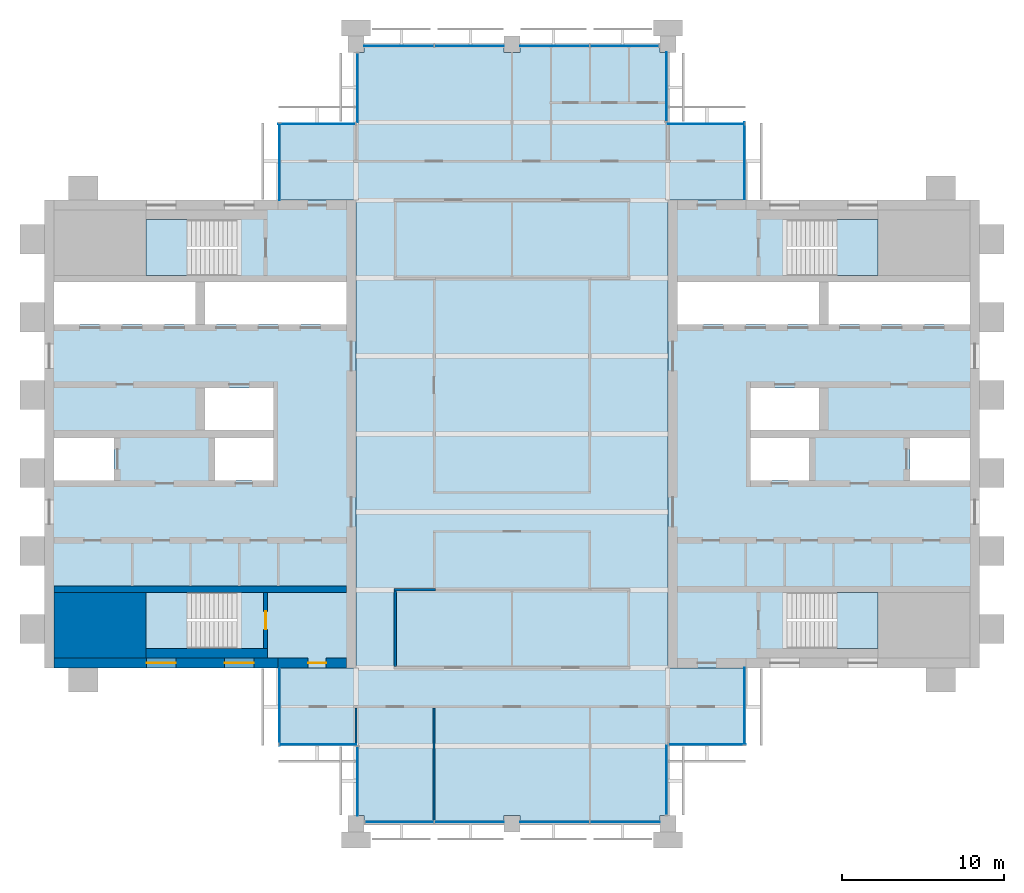
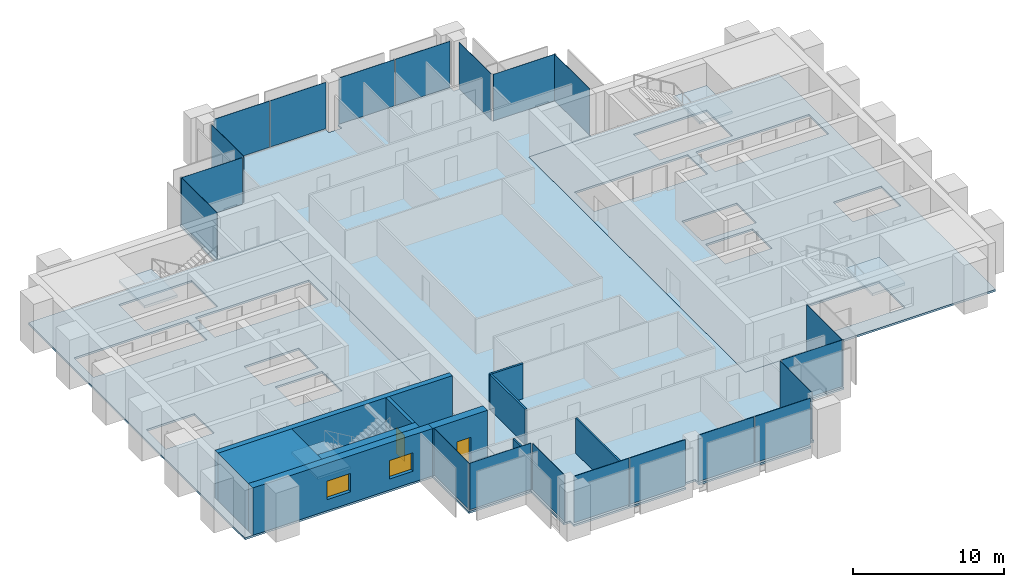
# One storey, part 7 of 13: 20 plates, 10 walls, 7 slabs, 2 doors, 2 windows, 4 openings, 18 elements without a shape of their own.
"""IFC4 building model written with IfcOpenShell, lengths in metres."""

from ifc_helpers import new_model, si_unit, direction, frame, frame_2d, origin, origin_2d, place, context, subcontext, project, spatial, polyline, rectangle, outline, extrude, material, layer, layer_set, type_object, element, fill, aggregate, save


model = new_model("IFC4")

# Units and contexts
model_context = context("Model", 3, precision=1e-05, world=origin(), true_north=direction((0.0, 1.0)))
body_context = subcontext(model_context, "Body", "Model", "MODEL_VIEW")
ifc_project = project(units=[si_unit("LENGTHUNIT", "METRE"), si_unit("AREAUNIT", "SQUARE_METRE"), si_unit("VOLUMEUNIT", "CUBIC_METRE"), si_unit("PLANEANGLEUNIT", "RADIAN"), si_unit("MASSUNIT", "GRAM", prefix="KILO")], contexts=[model_context])

# Site, building, storey
site_placement = place(None, origin())
site = spatial("IfcSite", under=ifc_project, at=site_placement, CompositionType="ELEMENT")
building_placement = place(site_placement, origin())
building = spatial("IfcBuilding", under=site, at=building_placement, Name="Baori Bourse Tower", CompositionType="ELEMENT")
storey_placement = place(building_placement, frame((0.0, 0.0, 334.300048828125)))
storey = spatial("IfcBuildingStorey", under=building, at=storey_placement, Name="L74", CompositionType="ELEMENT", Elevation=334.300048828125)

# Curtain wall, plate
ifc_material_1 = material(Name="Pale anodised aluminium", Category="aluminium")
curtain_wall_type_1 = type_object("IfcCurtainWallType", Name="CW2 Curtain wall", PredefinedType="NOTDEFINED", material=ifc_material_1)
curtain_wall_1_placement = place(storey_placement, origin())
curtain_wall_1 = element("IfcCurtainWall", 1, at=curtain_wall_1_placement, inside=storey, type_object=curtain_wall_type_1, Name="Curtain wall CW2 L74 1", PredefinedType="NOTDEFINED")
ifc_material_2 = material(Name="Clear glass", Category="glass")
ifc_layer_1 = layer(ifc_material_2, 0.030029296875)
ifc_layer_set_1 = layer_set([ifc_layer_1], Name="CW2 Curtain wall panel")
plate_type_1 = type_object("IfcPlateType", Name="CW2 Curtain wall panel", PredefinedType="CURTAIN_PANEL", material=ifc_layer_set_1)
plate_1_placement = place(storey_placement, frame((43.110107421875, 40.827392578125, 0.06982421875), z_axis=(0.0, 0.0, 1.0), x_axis=(0.0, 1.0, 0.0)))
plate_1 = element("IfcPlate", 2, at=plate_1_placement, type_object=plate_type_1, Name="Curtain wall CW2 panel", PredefinedType="CURTAIN_PANEL", context=body_context, shape_type="SweptSolid", body=[
    extrude(rectangle(XDim=4.7451171875, YDim=0.030029296875, at=origin_2d()), origin(), (0.0, 0.0, 1.0), 3.77001953125),
])
aggregate(curtain_wall_1, [plate_1])

curtain_wall_2_placement = place(storey_placement, origin())
curtain_wall_2 = element("IfcCurtainWall", 3, at=curtain_wall_2_placement, inside=storey, type_object=curtain_wall_type_1, Name="Curtain wall CW2 L74 2", PredefinedType="NOTDEFINED")
plate_2_placement = place(storey_placement, frame((40.7724609375, 43.110107421875, 0.06982421875), z_axis=(0.0, 0.0, 1.0), x_axis=(-1.0, 0.0, 0.0)))
plate_2 = element("IfcPlate", 4, at=plate_2_placement, type_object=plate_type_1, Name="Curtain wall CW2 panel", PredefinedType="CURTAIN_PANEL", context=body_context, shape_type="SweptSolid", body=[
    extrude(rectangle(XDim=4.7451171875, YDim=0.030029296875, at=origin_2d()), origin(), (0.0, 0.0, 1.0), 3.77001953125),
])
aggregate(curtain_wall_2, [plate_2])

curtain_wall_3_placement = place(storey_placement, origin())
curtain_wall_3 = element("IfcCurtainWall", 5, at=curtain_wall_3_placement, inside=storey, type_object=curtain_wall_type_1, Name="Curtain wall CW2 L74 3", PredefinedType="NOTDEFINED")
plate_3_placement = place(storey_placement, frame((38.31005859375, 45.37744140625, 0.06982421875), z_axis=(0.0, 0.0, 1.0), x_axis=(0.0, 1.0, 0.0)))
plate_3 = element("IfcPlate", 6, at=plate_3_placement, type_object=plate_type_1, Name="Curtain wall CW2 panel", PredefinedType="CURTAIN_PANEL", context=body_context, shape_type="SweptSolid", body=[
    extrude(rectangle(XDim=4.2451171875, YDim=0.030029296875, at=origin_2d()), origin(), (0.0, 0.0, 1.0), 3.77001953125),
])
aggregate(curtain_wall_3, [plate_3])

curtain_wall_4_placement = place(storey_placement, origin())
curtain_wall_4 = element("IfcCurtainWall", 7, at=curtain_wall_4_placement, inside=storey, type_object=curtain_wall_type_1, Name="Curtain wall CW2 L74 5", PredefinedType="NOTDEFINED")
plate_4_placement = place(storey_placement, frame((19.2900390625, 45.322509765625, 0.06982421875), z_axis=(0.0, 0.0, 1.0), x_axis=(0.0, -1.0, 0.0)))
plate_4 = element("IfcPlate", 8, at=plate_4_placement, type_object=plate_type_1, Name="Curtain wall CW2 panel", PredefinedType="CURTAIN_PANEL", context=body_context, shape_type="SweptSolid", body=[
    extrude(rectangle(XDim=4.2451171875, YDim=0.030029296875, at=origin_2d()), origin(), (0.0, 0.0, 1.0), 3.77001953125),
])
aggregate(curtain_wall_4, [plate_4])

curtain_wall_5_placement = place(storey_placement, origin())
curtain_wall_5 = element("IfcCurtainWall", 9, at=curtain_wall_5_placement, inside=storey, type_object=curtain_wall_type_1, Name="Curtain wall CW2 L74 6", PredefinedType="NOTDEFINED")
plate_5_placement = place(storey_placement, frame((16.7724609375, 43.110107421875, 0.06982421875), z_axis=(0.0, 0.0, 1.0), x_axis=(-1.0, 0.0, 0.0)))
plate_5 = element("IfcPlate", 10, at=plate_5_placement, type_object=plate_type_1, Name="Curtain wall CW2 panel", PredefinedType="CURTAIN_PANEL", context=body_context, shape_type="SweptSolid", body=[
    extrude(rectangle(XDim=4.7451171875, YDim=0.030029296875, at=origin_2d()), origin(), (0.0, 0.0, 1.0), 3.77001953125),
])
aggregate(curtain_wall_5, [plate_5])

curtain_wall_6_placement = place(storey_placement, origin())
curtain_wall_6 = element("IfcCurtainWall", 11, at=curtain_wall_6_placement, inside=storey, type_object=curtain_wall_type_1, Name="Curtain wall CW2 L74 7", PredefinedType="NOTDEFINED")
plate_6_placement = place(storey_placement, frame((14.489990234375, 40.7724609375, 0.06982421875), z_axis=(0.0, 0.0, 1.0), x_axis=(0.0, -1.0, 0.0)))
plate_6 = element("IfcPlate", 12, at=plate_6_placement, type_object=plate_type_1, Name="Curtain wall CW2 panel", PredefinedType="CURTAIN_PANEL", context=body_context, shape_type="SweptSolid", body=[
    extrude(rectangle(XDim=4.7451171875, YDim=0.030029296875, at=origin_2d()), origin(), (0.0, 0.0, 1.0), 3.77001953125),
])
aggregate(curtain_wall_6, [plate_6])

curtain_wall_7_placement = place(storey_placement, origin())
curtain_wall_7 = element("IfcCurtainWall", 13, at=curtain_wall_7_placement, inside=storey, type_object=curtain_wall_type_1, Name="Curtain wall CW2 L74 8", PredefinedType="NOTDEFINED")
plate_7_placement = place(storey_placement, frame((14.489990234375, 7.172607421875, 0.06982421875), z_axis=(0.0, 0.0, 1.0), x_axis=(0.0, -1.0, 0.0)))
plate_7 = element("IfcPlate", 14, at=plate_7_placement, type_object=plate_type_1, Name="Curtain wall CW2 panel", PredefinedType="CURTAIN_PANEL", context=body_context, shape_type="SweptSolid", body=[
    extrude(rectangle(XDim=4.7451171875, YDim=0.030029296875, at=origin_2d()), origin(), (0.0, 0.0, 1.0), 3.77001953125),
])
aggregate(curtain_wall_7, [plate_7])

curtain_wall_8_placement = place(storey_placement, origin())
curtain_wall_8 = element("IfcCurtainWall", 15, at=curtain_wall_8_placement, inside=storey, type_object=curtain_wall_type_1, Name="Curtain wall CW2 L74 9", PredefinedType="NOTDEFINED")
plate_8_placement = place(storey_placement, frame((16.827392578125, 4.889892578125, 0.06982421875), z_axis=(0.0, 0.0, 1.0), x_axis=(1.0, 0.0, 0.0)))
plate_8 = element("IfcPlate", 16, at=plate_8_placement, type_object=plate_type_1, Name="Curtain wall CW2 panel", PredefinedType="CURTAIN_PANEL", context=body_context, shape_type="SweptSolid", body=[
    extrude(rectangle(XDim=4.7451171875, YDim=0.030029296875, at=origin_2d()), origin(), (0.0, 0.0, 1.0), 3.77001953125),
])
aggregate(curtain_wall_8, [plate_8])

curtain_wall_9_placement = place(storey_placement, origin())
curtain_wall_9 = element("IfcCurtainWall", 17, at=curtain_wall_9_placement, inside=storey, type_object=curtain_wall_type_1, Name="Curtain wall CW2 L74 10", PredefinedType="NOTDEFINED")
plate_9_placement = place(storey_placement, frame((19.2900390625, 2.62255859375, 0.06982421875), z_axis=(0.0, 0.0, 1.0), x_axis=(0.0, -1.0, 0.0)))
plate_9 = element("IfcPlate", 18, at=plate_9_placement, type_object=plate_type_1, Name="Curtain wall CW2 panel", PredefinedType="CURTAIN_PANEL", context=body_context, shape_type="SweptSolid", body=[
    extrude(rectangle(XDim=4.2451171875, YDim=0.030029296875, at=origin_2d()), origin(), (0.0, 0.0, 1.0), 3.77001953125),
])
aggregate(curtain_wall_9, [plate_9])

curtain_wall_10_placement = place(storey_placement, origin())
curtain_wall_10 = element("IfcCurtainWall", 19, at=curtain_wall_10_placement, inside=storey, type_object=curtain_wall_type_1, Name="Curtain wall CW2 L74 12", PredefinedType="NOTDEFINED")
plate_10_placement = place(storey_placement, frame((38.31005859375, 2.677490234375, 0.06982421875), z_axis=(0.0, 0.0, 1.0), x_axis=(0.0, 1.0, 0.0)))
plate_10 = element("IfcPlate", 20, at=plate_10_placement, type_object=plate_type_1, Name="Curtain wall CW2 panel", PredefinedType="CURTAIN_PANEL", context=body_context, shape_type="SweptSolid", body=[
    extrude(rectangle(XDim=4.2451171875, YDim=0.030029296875, at=origin_2d()), origin(), (0.0, 0.0, 1.0), 3.77001953125),
])
aggregate(curtain_wall_10, [plate_10])

curtain_wall_11_placement = place(storey_placement, origin())
curtain_wall_11 = element("IfcCurtainWall", 21, at=curtain_wall_11_placement, inside=storey, type_object=curtain_wall_type_1, Name="Curtain wall CW2 L74 13", PredefinedType="NOTDEFINED")
plate_11_placement = place(storey_placement, frame((40.827392578125, 4.889892578125, 0.06982421875), z_axis=(0.0, 0.0, 1.0), x_axis=(1.0, 0.0, 0.0)))
plate_11 = element("IfcPlate", 22, at=plate_11_placement, type_object=plate_type_1, Name="Curtain wall CW2 panel", PredefinedType="CURTAIN_PANEL", context=body_context, shape_type="SweptSolid", body=[
    extrude(rectangle(XDim=4.7451171875, YDim=0.030029296875, at=origin_2d()), origin(), (0.0, 0.0, 1.0), 3.77001953125),
])
aggregate(curtain_wall_11, [plate_11])

curtain_wall_12_placement = place(storey_placement, origin())
curtain_wall_12 = element("IfcCurtainWall", 23, at=curtain_wall_12_placement, inside=storey, type_object=curtain_wall_type_1, Name="Curtain wall CW2 L74 14", PredefinedType="NOTDEFINED")
plate_12_placement = place(storey_placement, frame((43.110107421875, 7.2275390625, 0.06982421875), z_axis=(0.0, 0.0, 1.0), x_axis=(0.0, 1.0, 0.0)))
plate_12 = element("IfcPlate", 24, at=plate_12_placement, type_object=plate_type_1, Name="Curtain wall CW2 panel", PredefinedType="CURTAIN_PANEL", context=body_context, shape_type="SweptSolid", body=[
    extrude(rectangle(XDim=4.7451171875, YDim=0.030029296875, at=origin_2d()), origin(), (0.0, 0.0, 1.0), 3.77001953125),
])
aggregate(curtain_wall_12, [plate_12])

# Curtain wall, plates
ifc_material_3 = material(Name="Pale anodised aluminium", Category="aluminium")
curtain_wall_type_2 = type_object("IfcCurtainWallType", Name="CW5 Curtain wall", PredefinedType="NOTDEFINED", material=ifc_material_3)
curtain_wall_13_placement = place(storey_placement, origin())
curtain_wall_13 = element("IfcCurtainWall", 25, at=curtain_wall_13_placement, inside=storey, type_object=curtain_wall_type_2, Name="Curtain wall CW5 L74 4", PredefinedType="NOTDEFINED")
ifc_material_4 = material(Name="Clear glass", Category="glass")
ifc_layer_2 = layer(ifc_material_4, 0.035888671875)
ifc_layer_set_2 = layer_set([ifc_layer_2], Name="CW5 Curtain wall panel")
plate_type_2 = type_object("IfcPlateType", Name="CW5 Curtain wall panel", PredefinedType="CURTAIN_PANEL", material=ifc_layer_set_2)
plate_13_placement = place(storey_placement, frame((35.733642578125, 47.889892578125, 0.0849609375), z_axis=(0.0, 0.0, 1.0), x_axis=(-1.0, 0.0, 0.0)))
plate_13 = element("IfcPlate", 26, at=plate_13_placement, type_object=plate_type_2, Name="Curtain wall CW5 panel", PredefinedType="CURTAIN_PANEL", context=body_context, shape_type="SweptSolid", body=[
    extrude(rectangle(XDim=4.202392578125, YDim=0.035888671875, at=origin_2d()), origin(), (0.0, 0.0, 1.0), 3.7548828125),
])
plate_14_placement = place(storey_placement, frame((31.433837890625, 47.889892578125, 0.0849609375), z_axis=(0.0, 0.0, 1.0), x_axis=(-1.0, 0.0, 0.0)))
plate_14 = element("IfcPlate", 27, at=plate_14_placement, type_object=plate_type_2, Name="Curtain wall CW5 panel", PredefinedType="CURTAIN_PANEL", context=body_context, shape_type="SweptSolid", body=[
    extrude(rectangle(XDim=4.267578125, YDim=0.035888671875, at=origin_2d()), origin(), (0.0, 0.0, 1.0), 3.7548828125),
])
plate_15_placement = place(storey_placement, frame((26.166259765625, 47.889892578125, 0.0849609375), z_axis=(0.0, 0.0, 1.0), x_axis=(-1.0, 0.0, 0.0)))
plate_15 = element("IfcPlate", 28, at=plate_15_placement, type_object=plate_type_2, Name="Curtain wall CW5 panel", PredefinedType="CURTAIN_PANEL", context=body_context, shape_type="SweptSolid", body=[
    extrude(rectangle(XDim=4.267578125, YDim=0.035888671875, at=origin_2d()), origin(), (0.0, 0.0, 1.0), 3.7548828125),
])
plate_16_placement = place(storey_placement, frame((21.833740234375, 47.889892578125, 0.0849609375), z_axis=(0.0, 0.0, 1.0), x_axis=(-1.0, 0.0, 0.0)))
plate_16 = element("IfcPlate", 29, at=plate_16_placement, type_object=plate_type_2, Name="Curtain wall CW5 panel", PredefinedType="CURTAIN_PANEL", context=body_context, shape_type="SweptSolid", body=[
    extrude(rectangle(XDim=4.267578125, YDim=0.035888671875, at=origin_2d()), origin(), (0.0, 0.0, 1.0), 3.7548828125),
])
aggregate(curtain_wall_13, [plate_13, plate_14, plate_15, plate_16])

curtain_wall_14_placement = place(storey_placement, origin())
curtain_wall_14 = element("IfcCurtainWall", 30, at=curtain_wall_14_placement, inside=storey, type_object=curtain_wall_type_2, Name="Curtain wall CW5 L74 11", PredefinedType="NOTDEFINED")
plate_17_placement = place(storey_placement, frame((21.8662109375, 0.110107421875, 0.0849609375), z_axis=(0.0, 0.0, 1.0), x_axis=(1.0, 0.0, 0.0)))
plate_17 = element("IfcPlate", 31, at=plate_17_placement, type_object=plate_type_2, Name="Curtain wall CW5 panel", PredefinedType="CURTAIN_PANEL", context=body_context, shape_type="SweptSolid", body=[
    extrude(rectangle(XDim=4.202392578125, YDim=0.035888671875, at=origin_2d()), origin(), (0.0, 0.0, 1.0), 3.7548828125),
])
plate_18_placement = place(storey_placement, frame((26.166259765625, 0.110107421875, 0.0849609375), z_axis=(0.0, 0.0, 1.0), x_axis=(1.0, 0.0, 0.0)))
plate_18 = element("IfcPlate", 32, at=plate_18_placement, type_object=plate_type_2, Name="Curtain wall CW5 panel", PredefinedType="CURTAIN_PANEL", context=body_context, shape_type="SweptSolid", body=[
    extrude(rectangle(XDim=4.267578125, YDim=0.035888671875, at=origin_2d()), origin(), (0.0, 0.0, 1.0), 3.7548828125),
])
plate_19_placement = place(storey_placement, frame((31.433837890625, 0.110107421875, 0.0849609375), z_axis=(0.0, 0.0, 1.0), x_axis=(1.0, 0.0, 0.0)))
plate_19 = element("IfcPlate", 33, at=plate_19_placement, type_object=plate_type_2, Name="Curtain wall CW5 panel", PredefinedType="CURTAIN_PANEL", context=body_context, shape_type="SweptSolid", body=[
    extrude(rectangle(XDim=4.267578125, YDim=0.035888671875, at=origin_2d()), origin(), (0.0, 0.0, 1.0), 3.7548828125),
])
plate_20_placement = place(storey_placement, frame((35.766357421875, 0.110107421875, 0.0849609375), z_axis=(0.0, 0.0, 1.0), x_axis=(1.0, 0.0, 0.0)))
plate_20 = element("IfcPlate", 34, at=plate_20_placement, type_object=plate_type_2, Name="Curtain wall CW5 panel", PredefinedType="CURTAIN_PANEL", context=body_context, shape_type="SweptSolid", body=[
    extrude(rectangle(XDim=4.267578125, YDim=0.035888671875, at=origin_2d()), origin(), (0.0, 0.0, 1.0), 3.7548828125),
])
aggregate(curtain_wall_14, [plate_17, plate_18, plate_19, plate_20])

# Slabs
ifc_material_5 = material(Name="Concrete f'c 50 MPa", Category="concrete")
ifc_layer_3 = layer(ifc_material_5, 0.159912109375)
ifc_layer_set_3 = layer_set([ifc_layer_3], Name="Core slab 160")
slab_type_1 = type_object("IfcSlabType", Name="Core slab 160", PredefinedType="FLOOR", material=ifc_layer_set_3)
slab_1_placement = place(storey_placement, frame((0.0, 0.0, -0.16015625)))
element("IfcSlab", 35, at=slab_1_placement, inside=storey, type_object=slab_type_1, Name="Core floor slab W01", PredefinedType="FLOOR", context=body_context, shape_type="SweptSolid", body=[
    extrude(outline(polyline([(19.199951171875, 38.39990234375), (0.0, 38.39990234375), (0.0, 9.60009765625), (19.199951171875, 9.60009765625), (19.199951171875, 38.39990234375)]), holes=[polyline([(9.89990234375, 33.35009765625), (18.60009765625, 33.35009765625), (18.60009765625, 30.75), (9.89990234375, 30.75), (9.89990234375, 33.35009765625)]), polyline([(10.5, 21.14990234375), (10.5, 23.75), (14.10009765625, 23.75), (14.10009765625, 21.14990234375), (10.5, 21.14990234375)]), polyline([(14.10009765625, 24.25), (9.89990234375, 24.25), (9.89990234375, 26.85009765625), (14.10009765625, 26.85009765625), (14.10009765625, 24.25)]), polyline([(6.25, 14.25), (11.84912109375, 14.25), (11.84912109375, 10.800048828125), (6.25, 10.800048828125), (6.25, 14.25)]), polyline([(11.84912109375, 37.199951171875), (11.84912109375, 33.75), (6.25, 33.75), (6.25, 37.199951171875), (11.84912109375, 37.199951171875)]), polyline([(0.60009765625, 30.75), (0.60009765625, 33.35009765625), (9.300048828125, 33.35009765625), (9.300048828125, 30.75), (0.60009765625, 30.75)]), polyline([(4.300048828125, 23.75), (4.300048828125, 21.14990234375), (0.60009765625, 21.14990234375), (0.60009765625, 23.75), (4.300048828125, 23.75)])]), origin(), (0.0, 0.0, 1.0), 0.16015625),
])
slab_2_placement = place(storey_placement, frame((0.0, 0.0, -0.16015625)))
element("IfcSlab", 36, at=slab_2_placement, inside=storey, type_object=slab_type_1, Name="Core floor slab E01", PredefinedType="FLOOR", context=body_context, shape_type="SweptSolid", body=[
    extrude(outline(polyline([(57.60009765625, 9.60009765625), (57.60009765625, 38.39990234375), (38.39990234375, 38.39990234375), (38.39990234375, 9.60009765625), (57.60009765625, 9.60009765625)]), holes=[polyline([(48.300048828125, 33.35009765625), (57.0, 33.35009765625), (57.0, 30.75), (48.300048828125, 30.75), (48.300048828125, 33.35009765625)]), polyline([(57.0, 21.14990234375), (53.300048828125, 21.14990234375), (53.300048828125, 23.75), (57.0, 23.75), (57.0, 21.14990234375)]), polyline([(45.750732421875, 14.25), (51.35009765625, 14.25), (51.35009765625, 10.800048828125), (45.750732421875, 10.800048828125), (45.750732421875, 14.25)]), polyline([(51.35009765625, 37.199951171875), (51.35009765625, 33.75), (45.750732421875, 33.75), (45.750732421875, 37.199951171875), (51.35009765625, 37.199951171875)]), polyline([(43.5, 24.25), (43.5, 26.85009765625), (47.699951171875, 26.85009765625), (47.699951171875, 24.25), (43.5, 24.25)]), polyline([(47.699951171875, 33.35009765625), (47.699951171875, 30.75), (39.0, 30.75), (39.0, 33.35009765625), (47.699951171875, 33.35009765625)]), polyline([(43.5, 23.75), (47.10009765625, 23.75), (47.10009765625, 21.14990234375), (43.5, 21.14990234375), (43.5, 23.75)])]), origin(), (0.0, 0.0, 1.0), 0.16015625),
])

# Stair, slab
ifc_material_6 = material(Name="Concrete f'c 50 MPa", Category="concrete")
stair_type = type_object("IfcStairType", Name="Core stair", PredefinedType="HALF_TURN_STAIR", material=ifc_material_6)
stair_1_placement = place(storey_placement, origin())
stair_1 = element("IfcStair", 37, at=stair_1_placement, inside=storey, type_object=stair_type, Name="L74 Stair WA", PredefinedType="HALF_TURN_STAIR")
ifc_material_7 = material(Name="Concrete f'c 50 MPa", Category="concrete")
slab_type_2 = type_object("IfcSlabType", Name="Core stair landing", PredefinedType="LANDING", material=ifc_material_7)
slab_3_placement = place(storey_placement, frame((0.0, 0.0, 1.800048828125)))
slab_3 = element("IfcSlab", 38, at=slab_3_placement, type_object=slab_type_2, Name="ST1 landing 1", PredefinedType="LANDING", context=body_context, shape_type="SweptSolid", body=[
    extrude(outline(polyline([(8.77001953125, 14.25), (6.25, 14.25), (6.25, 10.800048828125), (8.77001953125, 10.800048828125), (8.77001953125, 14.25)])), origin(), (0.0, 0.0, 1.0), 0.199951171875),
])
aggregate(stair_1, [slab_3])

stair_2_placement = place(storey_placement, origin())
stair_2 = element("IfcStair", 39, at=stair_2_placement, inside=storey, type_object=stair_type, Name="L74 Stair WB", PredefinedType="HALF_TURN_STAIR")
slab_4_placement = place(storey_placement, frame((0.0, 0.0, 1.800048828125)))
slab_4 = element("IfcSlab", 40, at=slab_4_placement, type_object=slab_type_2, Name="ST2 landing 1", PredefinedType="LANDING", context=body_context, shape_type="SweptSolid", body=[
    extrude(outline(polyline([(8.77001953125, 37.199951171875), (6.25, 37.199951171875), (6.25, 33.75), (8.77001953125, 33.75), (8.77001953125, 37.199951171875)])), origin(), (0.0, 0.0, 1.0), 0.199951171875),
])
aggregate(stair_2, [slab_4])

stair_3_placement = place(storey_placement, origin())
stair_3 = element("IfcStair", 41, at=stair_3_placement, inside=storey, type_object=stair_type, Name="L74 Stair EA", PredefinedType="HALF_TURN_STAIR")
slab_5_placement = place(storey_placement, frame((0.0, 0.0, 1.800048828125)))
slab_5 = element("IfcSlab", 42, at=slab_5_placement, type_object=slab_type_2, Name="ST3 landing 1", PredefinedType="LANDING", context=body_context, shape_type="SweptSolid", body=[
    extrude(outline(polyline([(48.830078125, 10.800048828125), (51.35009765625, 10.800048828125), (51.35009765625, 14.25), (48.830078125, 14.25), (48.830078125, 10.800048828125)])), origin(), (0.0, 0.0, 1.0), 0.199951171875),
])
aggregate(stair_3, [slab_5])

stair_4_placement = place(storey_placement, origin())
stair_4 = element("IfcStair", 43, at=stair_4_placement, inside=storey, type_object=stair_type, Name="L74 Stair EB", PredefinedType="HALF_TURN_STAIR")
slab_6_placement = place(storey_placement, frame((0.0, 0.0, 1.800048828125)))
slab_6 = element("IfcSlab", 44, at=slab_6_placement, type_object=slab_type_2, Name="ST4 landing 1", PredefinedType="LANDING", context=body_context, shape_type="SweptSolid", body=[
    extrude(outline(polyline([(48.830078125, 33.75), (51.35009765625, 33.75), (51.35009765625, 37.199951171875), (48.830078125, 37.199951171875), (48.830078125, 33.75)])), origin(), (0.0, 0.0, 1.0), 0.199951171875),
])
aggregate(stair_4, [slab_6])

# Slab
ifc_material_8 = material(Name="Concrete f'c 40 MPa", Category="concrete")
ifc_layer_4 = layer(ifc_material_8, 0.159912109375)
ifc_layer_set_4 = layer_set([ifc_layer_4], Name="Floor slab 160")
slab_type_3 = type_object("IfcSlabType", Name="Floor slab 160", PredefinedType="FLOOR", material=ifc_layer_set_4)
slab_7_placement = place(storey_placement, frame((0.0, 0.0, -0.16015625)))
element("IfcSlab", 45, at=slab_7_placement, inside=storey, type_object=slab_type_3, Name="Floor slab L74", PredefinedType="FLOOR", context=body_context, shape_type="SweptSolid", body=[
    extrude(outline(polyline([(19.199951171875, 4.800048828125), (14.39990234375, 4.800048828125), (14.39990234375, 9.60009765625), (19.199951171875, 9.60009765625), (19.199951171875, 38.39990234375), (14.39990234375, 38.39990234375), (14.39990234375, 43.199951171875), (19.199951171875, 43.199951171875), (19.199951171875, 47.5), (19.699951171875, 47.5), (19.699951171875, 48.0), (28.300048828125, 48.0), (28.300048828125, 47.5), (29.300048828125, 47.5), (29.300048828125, 48.0), (37.89990234375, 48.0), (37.89990234375, 47.5), (38.39990234375, 47.5), (38.39990234375, 43.199951171875), (43.199951171875, 43.199951171875), (43.199951171875, 38.39990234375), (38.39990234375, 38.39990234375), (38.39990234375, 9.60009765625), (43.199951171875, 9.60009765625), (43.199951171875, 4.800048828125), (38.39990234375, 4.800048828125), (38.39990234375, 0.5), (37.89990234375, 0.5), (37.89990234375, 0.0), (29.300048828125, 0.0), (29.300048828125, 0.5), (28.300048828125, 0.5), (28.300048828125, 0.0), (19.699951171875, 0.0), (19.699951171875, 0.5), (19.199951171875, 0.5), (19.199951171875, 4.800048828125)])), origin(), (0.0, 0.0, 1.0), 0.16015625),
])

# Wall
ifc_material_9 = material(Name="Concrete f'c 40 MPa", Category="concrete")
wall_type_1 = type_object("IfcWallType", Name="Core corner block f'c 40", PredefinedType="SHEAR", material=ifc_material_9)
wall_1_placement = place(storey_placement, frame((0.60009765625, 12.22509765625, 0.0), z_axis=(0.0, 0.0, 1.0), x_axis=(1.0, 0.0, 0.0)))
element("IfcWall", 46, at=wall_1_placement, inside=storey, type_object=wall_type_1, Name="Core wall W05", PredefinedType="SHEAR", context=body_context, shape_type="SweptSolid", body=[
    extrude(rectangle(XDim=5.64990234375, YDim=4.050048828125, at=frame_2d((2.824951171875, 0.0))), origin(), (0.0, 0.0, 1.0), 3.83984375),
])

# Wall, openings, windows
ifc_material_10 = material(Name="Concrete f'c 40 MPa", Category="concrete")
ifc_layer_5 = layer(ifc_material_10, 0.60009765625)
ifc_layer_set_5 = layer_set([ifc_layer_5], Name="Core wall 600 f'c 40")
wall_type_2 = type_object("IfcWallType", Name="Core wall 600 f'c 40", PredefinedType="SHEAR", material=ifc_layer_set_5)
wall_2_placement = place(storey_placement, frame((14.39990234375, 9.89990234375, 0.0), z_axis=(0.0, 0.0, 1.0), x_axis=(-1.0, 0.0, 0.0)))
wall_2 = element("IfcWall", 47, at=wall_2_placement, inside=storey, type_object=wall_type_2, Name="Core wall W02", PredefinedType="SHEAR", context=body_context, shape_type="SweptSolid", body=[
    extrude(rectangle(XDim=13.7998046875, YDim=0.60009765625, at=frame_2d((6.89990234375, 0.0))), origin(), (0.0, 0.0, 1.0), 3.83984375),
])
opening_1_placement = place(wall_2_placement, frame((6.300048828125, 0.0, 0.89990234375)))
opening_1 = element("IfcOpeningElement", 48, at=opening_1_placement, cuts=wall_2, Name="Opening L74-KW103", PredefinedType="OPENING", context=body_context, shape_type="SweptSolid", body=[
    extrude(rectangle(XDim=1.800048828125, YDim=1.5, at=frame_2d((0.89990234375, 0.75))), frame((0.0, 0.31005859375, 0.0), z_axis=(0.0, -1.0, 0.0), x_axis=(1.0, 0.0, 0.0)), (0.0, 0.0, 1.0), 0.6201171875),
])
opening_2_placement = place(wall_2_placement, frame((1.5, 0.0, 0.89990234375)))
opening_2 = element("IfcOpeningElement", 49, at=opening_2_placement, cuts=wall_2, Name="Opening L74-KW104", PredefinedType="OPENING", context=body_context, shape_type="SweptSolid", body=[
    extrude(rectangle(XDim=1.800048828125, YDim=1.5, at=frame_2d((0.89990234375, 0.75))), frame((0.0, 0.31005859375, 0.0), z_axis=(0.0, -1.0, 0.0), x_axis=(1.0, 0.0, 0.0)), (0.0, 0.0, 1.0), 0.6201171875),
])
ifc_material_11 = material(Name="Pale anodised aluminium", Category="aluminium")
window_type = type_object("IfcWindowType", Name="Stair window 1800 x 1500", PartitioningType="SINGLE_PANEL", PredefinedType="WINDOW", material=ifc_material_11)
window_1_placement = place(opening_1_placement, origin())
window_1 = element("IfcWindow", 50, at=window_1_placement, inside=storey, type_object=window_type, Name="Stair window W L74 3", OverallHeight=1.5, OverallWidth=1.800048828125, PartitioningType="SINGLE_PANEL", PredefinedType="WINDOW", context=body_context, shape_type="SweptSolid", body=[
    extrude(rectangle(XDim=1.800048828125, YDim=1.5, at=frame_2d((0.89990234375, 0.75))), frame((0.0, 0.030029296875, 0.0), z_axis=(0.0, -1.0, 0.0), x_axis=(1.0, 0.0, 0.0)), (0.0, 0.0, 1.0), 0.06005859375),
])
fill(opening_1, window_1)
window_2_placement = place(opening_2_placement, origin())
window_2 = element("IfcWindow", 51, at=window_2_placement, inside=storey, type_object=window_type, Name="Stair window W L74 4", OverallHeight=1.5, OverallWidth=1.800048828125, PartitioningType="SINGLE_PANEL", PredefinedType="WINDOW", context=body_context, shape_type="SweptSolid", body=[
    extrude(rectangle(XDim=1.800048828125, YDim=1.5, at=frame_2d((0.89990234375, 0.75))), frame((0.0, 0.030029296875, 0.0), z_axis=(0.0, -1.0, 0.0), x_axis=(1.0, 0.0, 0.0)), (0.0, 0.0, 1.0), 0.06005859375),
])
fill(opening_2, window_2)

# Wall, opening, door
wall_3_placement = place(storey_placement, frame((18.60009765625, 9.89990234375, 0.0), z_axis=(0.0, 0.0, 1.0), x_axis=(-1.0, 0.0, 0.0)))
wall_3 = element("IfcWall", 52, at=wall_3_placement, inside=storey, type_object=wall_type_2, Name="Core wall W03", PredefinedType="SHEAR", context=body_context, shape_type="SweptSolid", body=[
    extrude(rectangle(XDim=4.2001953125, YDim=0.60009765625, at=frame_2d((2.10009765625, 0.0))), origin(), (0.0, 0.0, 1.0), 3.83984375),
])
opening_3_placement = place(wall_3_placement, frame((1.25, 0.0, 0.0)))
opening_3 = element("IfcOpeningElement", 53, at=opening_3_placement, cuts=wall_3, Name="Opening L74-D102", PredefinedType="OPENING", context=body_context, shape_type="SweptSolid", body=[
    extrude(rectangle(XDim=1.10009765625, YDim=2.10009765625, at=frame_2d((0.550048828125, 1.050048828125))), frame((0.0, 0.31005859375, 0.0), z_axis=(0.0, -1.0, 0.0), x_axis=(1.0, 0.0, 0.0)), (0.0, 0.0, 1.0), 0.6201171875),
])
ifc_material_12 = material(Name="Painted steel door", Category="steel")
door_type = type_object("IfcDoorType", Name="Stair door 1100", OperationType="SINGLE_SWING_LEFT", PredefinedType="DOOR", material=ifc_material_12)
door_1_placement = place(opening_3_placement, origin())
door_1 = element("IfcDoor", 54, at=door_1_placement, inside=storey, type_object=door_type, Name="Stair vestibule door A W L74", OperationType="SINGLE_SWING_LEFT", OverallHeight=2.10009765625, OverallWidth=1.10009765625, PredefinedType="DOOR", context=body_context, shape_type="SweptSolid", body=[
    extrude(rectangle(XDim=1.10009765625, YDim=2.10009765625, at=frame_2d((0.550048828125, 1.050048828125))), frame((0.0, 0.02490234375, 0.0), z_axis=(0.0, -1.0, 0.0), x_axis=(1.0, 0.0, 0.0)), (0.0, 0.0, 1.0), 0.050048828125),
])
fill(opening_3, door_1)

# Walls
ifc_material_13 = material(Name="Gypsum board partition")
ifc_layer_6 = layer(ifc_material_13, 0.14990234375)
ifc_layer_set_6 = layer_set([ifc_layer_6], Name="Corridor partition 150")
wall_type_3 = type_object("IfcWallType", Name="Corridor partition 150", PredefinedType="PARTITIONING", material=ifc_layer_set_6)
wall_4_placement = place(storey_placement, frame((21.52490234375, 14.39990234375, 0.0), z_axis=(0.0, 0.0, 1.0), x_axis=(1.0, 0.0, 0.0)))
element("IfcWall", 55, at=wall_4_placement, inside=storey, type_object=wall_type_3, Name="Partition", PredefinedType="PARTITIONING", context=body_context, shape_type="SweptSolid", body=[
    extrude(rectangle(XDim=2.550048828125, YDim=0.14990234375, at=frame_2d((1.27490234375, 0.0))), origin(), (0.0, 0.0, 1.0), 2.849365234375),
])
wall_5_placement = place(storey_placement, frame((21.60009765625, 9.675048828125, 0.0), z_axis=(0.0, 0.0, 1.0), x_axis=(0.0, 1.0, 0.0)))
element("IfcWall", 56, at=wall_5_placement, inside=storey, type_object=wall_type_3, Name="Partition", PredefinedType="PARTITIONING", context=body_context, shape_type="SweptSolid", body=[
    extrude(rectangle(XDim=4.64990234375, YDim=0.14990234375, at=frame_2d((2.324951171875, 0.0))), origin(), (0.0, 0.0, 1.0), 2.849365234375),
])
ifc_material_14 = material(Name="Gypsum board partition")
ifc_layer_7 = layer(ifc_material_14, 0.125)
ifc_layer_set_7 = layer_set([ifc_layer_7], Name="Partition 125")
wall_type_4 = type_object("IfcWallType", Name="Partition 125", PredefinedType="PARTITIONING", material=ifc_layer_set_7)
wall_6_placement = place(storey_placement, frame((19.199951171875, 4.89990234375, 0.0), z_axis=(0.0, 0.0, 1.0), x_axis=(0.0, 1.0, 0.0)))
element("IfcWall", 57, at=wall_6_placement, inside=storey, type_object=wall_type_4, Name="Partition", PredefinedType="PARTITIONING", context=body_context, shape_type="SweptSolid", body=[
    extrude(rectangle(XDim=2.22509765625, YDim=0.125, at=frame_2d((1.112548828125, 0.0))), origin(), (0.0, 0.0, 1.0), 2.849365234375),
])
wall_7_placement = place(storey_placement, frame((24.0, 0.10009765625, 0.0), z_axis=(0.0, 0.0, 1.0), x_axis=(0.0, 1.0, 0.0)))
element("IfcWall", 58, at=wall_7_placement, inside=storey, type_object=wall_type_4, Name="Partition", PredefinedType="PARTITIONING", context=body_context, shape_type="SweptSolid", body=[
    extrude(rectangle(XDim=7.02490234375, YDim=0.125, at=frame_2d((3.512451171875, 0.0))), origin(), (0.0, 0.0, 1.0), 2.849365234375),
])

# Wall, opening, door
ifc_material_15 = material(Name="Concrete f'c 40 MPa", Category="concrete")
ifc_layer_8 = layer(ifc_material_15, 0.25)
ifc_layer_set_8 = layer_set([ifc_layer_8], Name="Shaft wall 250 f'c 40")
wall_type_5 = type_object("IfcWallType", Name="Shaft wall 250 f'c 40", PredefinedType="SHEAR", material=ifc_layer_set_8)
wall_8_placement = place(storey_placement, frame((13.625, 10.800048828125, 0.0), z_axis=(0.0, 0.0, 1.0), x_axis=(0.0, 1.0, 0.0)))
wall_8 = element("IfcWall", 59, at=wall_8_placement, inside=storey, type_object=wall_type_5, Name="Core wall W07", PredefinedType="SHEAR", context=body_context, shape_type="SweptSolid", body=[
    extrude(rectangle(XDim=3.449951171875, YDim=0.25, at=frame_2d((1.72509765625, 0.0))), origin(), (0.0, 0.0, 1.0), 3.83984375),
])
opening_4_placement = place(wall_8_placement, frame((1.175048828125, 0.0, 0.0)))
opening_4 = element("IfcOpeningElement", 60, at=opening_4_placement, cuts=wall_8, Name="Opening L74-D101", PredefinedType="OPENING", context=body_context, shape_type="SweptSolid", body=[
    extrude(rectangle(XDim=1.10009765625, YDim=2.10009765625, at=frame_2d((0.550048828125, 1.050048828125))), frame((0.0, 0.135009765625, 0.0), z_axis=(0.0, -1.0, 0.0), x_axis=(1.0, 0.0, 0.0)), (0.0, 0.0, 1.0), 0.27001953125),
])
door_2_placement = place(opening_4_placement, origin())
door_2 = element("IfcDoor", 61, at=door_2_placement, inside=storey, type_object=door_type, Name="Stair door A W L74", OperationType="SINGLE_SWING_LEFT", OverallHeight=2.10009765625, OverallWidth=1.10009765625, PredefinedType="DOOR", context=body_context, shape_type="SweptSolid", body=[
    extrude(rectangle(XDim=1.10009765625, YDim=2.10009765625, at=frame_2d((0.550048828125, 1.050048828125))), frame((0.0, 0.02490234375, 0.0), z_axis=(0.0, -1.0, 0.0), x_axis=(1.0, 0.0, 0.0)), (0.0, 0.0, 1.0), 0.050048828125),
])
fill(opening_4, door_2)

# Walls
ifc_material_16 = material(Name="Concrete f'c 40 MPa", Category="concrete")
ifc_layer_9 = layer(ifc_material_16, 0.39990234375)
ifc_layer_set_9 = layer_set([ifc_layer_9], Name="Shaft wall 400 f'c 40")
wall_type_6 = type_object("IfcWallType", Name="Shaft wall 400 f'c 40", PredefinedType="SHEAR", material=ifc_layer_set_9)
wall_9_placement = place(storey_placement, frame((0.60009765625, 14.449951171875, 0.0), z_axis=(0.0, 0.0, 1.0), x_axis=(1.0, 0.0, 0.0)))
element("IfcWall", 62, at=wall_9_placement, inside=storey, type_object=wall_type_6, Name="Core wall W08", PredefinedType="SHEAR", context=body_context, shape_type="SweptSolid", body=[
    extrude(rectangle(XDim=18.0, YDim=0.39990234375, at=frame_2d((9.0, 0.0))), origin(), (0.0, 0.0, 1.0), 3.83984375),
])
ifc_material_17 = material(Name="Concrete f'c 40 MPa", Category="concrete")
ifc_layer_10 = layer(ifc_material_17, 0.60009765625)
ifc_layer_set_10 = layer_set([ifc_layer_10], Name="Shaft wall 600 f'c 40")
wall_type_7 = type_object("IfcWallType", Name="Shaft wall 600 f'c 40", PredefinedType="SHEAR", material=ifc_layer_set_10)
wall_10_placement = place(storey_placement, frame((6.25, 10.5, 0.0), z_axis=(0.0, 0.0, 1.0), x_axis=(1.0, 0.0, 0.0)))
element("IfcWall", 63, at=wall_10_placement, inside=storey, type_object=wall_type_7, Name="Core wall W06", PredefinedType="SHEAR", context=body_context, shape_type="SweptSolid", body=[
    extrude(rectangle(XDim=7.5, YDim=0.60009765625, at=frame_2d((3.75, 0.0))), origin(), (0.0, 0.0, 1.0), 3.83984375),
])

save(model, "model.ifc")
